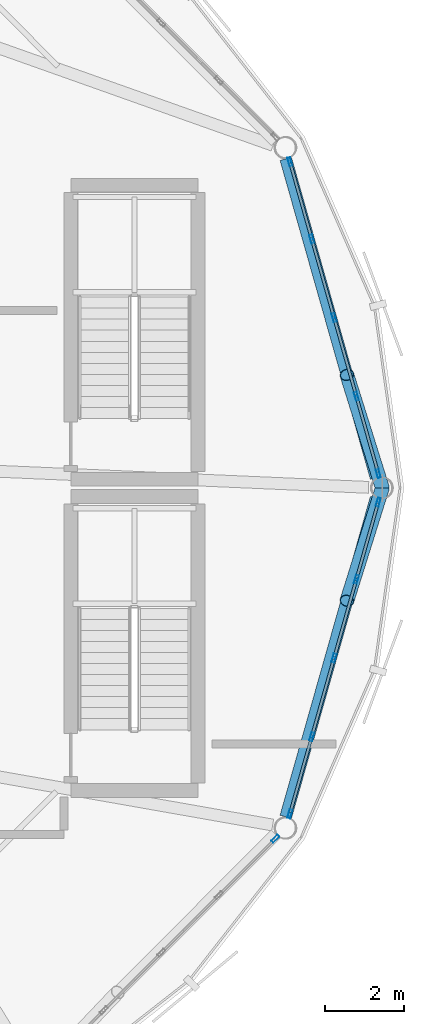
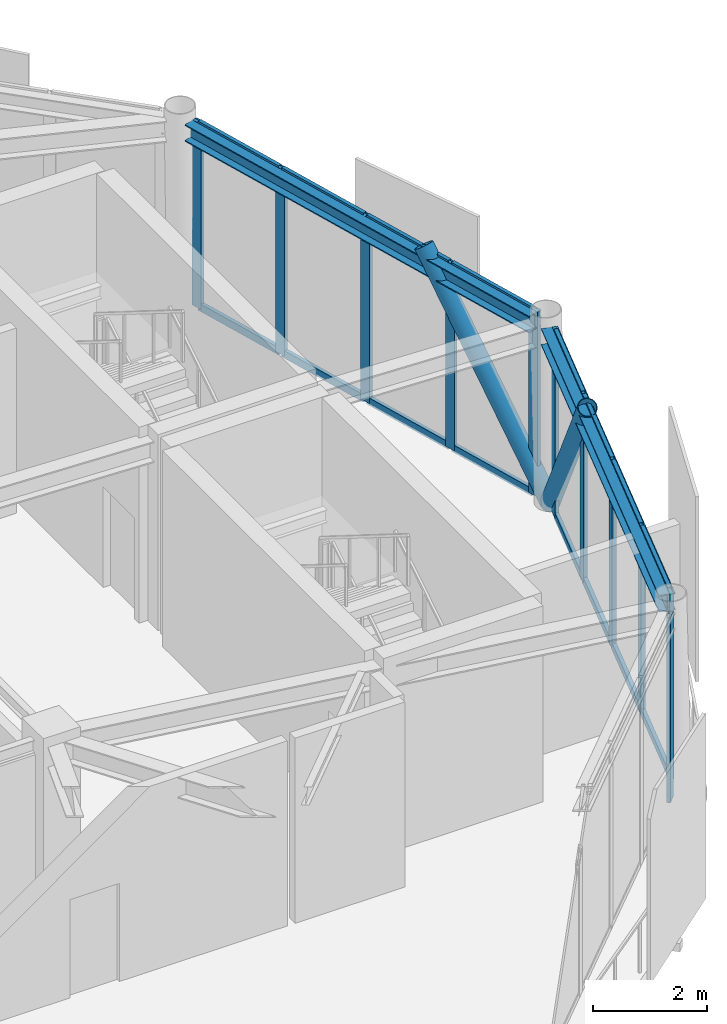
# One storey, part 12 of 20: 29 members, 2 beams, 3 elements without a shape of their own.
"""IFC4 building model written with IfcOpenShell, lengths in metres."""

import ifcopenshell
import ifcopenshell.guid

model = None  # the IFC model being written
_history = None  # IfcOwnerHistory: only IFC2X3 demands one
_inside = {}  # id of a spatial element -> (the spatial element, [elements in it])
_under = {}  # id of a project, library or spatial element -> (it, [spatial elements below it])
_declared = {}  # id of a project -> (the project, [libraries it declares])
_typed = {}  # id of a type object -> (the type object, [elements of that type])
_made_of = {}  # id of a material, layer set ... -> (it, [elements and type objects made of it])


def new_model(schema):
    """Start an empty IFC model of exactly this schema.

    Asked for "IFC4X3", IfcOpenShell would pick the latest addendum, in which some entities
    have other attributes; the version numbers below select the first issue.
    IFC2X3 requires an IfcOwnerHistory on every rooted entity: one is made here for all.
    """
    global model, _history
    if schema == "IFC4X3":
        model = ifcopenshell.file(schema_version=(4, 3, 0, 0))
    else:
        model = ifcopenshell.file(schema=schema)
    _inside.clear()
    _under.clear()
    _declared.clear()
    _typed.clear()
    _made_of.clear()
    _history = None
    if model.schema == "IFC2X3":
        org = make("IfcOrganization", Name="unknown")
        user = make(
            "IfcPersonAndOrganization",
            ThePerson=make("IfcPerson", FamilyName="unknown"),
            TheOrganization=org,
        )
        app = make(
            "IfcApplication",
            ApplicationDeveloper=org,
            Version="unknown",
            ApplicationFullName="unknown",
            ApplicationIdentifier="unknown",
        )
        _history = make(
            "IfcOwnerHistory",
            OwningUser=user,
            OwningApplication=app,
            ChangeAction="ADDED",
            CreationDate=0,
        )
    return model


def make(cls, **values):
    """One entity of the class cls with the attributes given. An attribute that is None is left unset."""
    return model.create_entity(
        cls, **{name: value for name, value in values.items() if value is not None}
    )


def rooted(cls, **values):
    """An entity with a GlobalId (a new one), such as an element, a storey or a relation."""
    return make(cls, GlobalId=ifcopenshell.guid.new(), OwnerHistory=_history, **values)


def si_unit(unit_type, name, prefix=None):
    """IfcSIUnit, for example si_unit("LENGTHUNIT", "METRE", prefix="MILLI")."""
    return make("IfcSIUnit", UnitType=unit_type, Prefix=prefix, Name=name)


def assignment(units):
    """IfcUnitAssignment: the units of a project."""
    return None if units is None else make("IfcUnitAssignment", Units=units)


def point(xyz):
    """IfcCartesianPoint."""
    return None if xyz is None else make("IfcCartesianPoint", Coordinates=xyz)


def direction(xyz):
    """IfcDirection."""
    return None if xyz is None else make("IfcDirection", DirectionRatios=xyz)


def frame(location, z_axis=None, x_axis=None):
    """IfcAxis2Placement3D, a coordinate frame: its origin and axes. An axis left out is left unset."""
    return make(
        "IfcAxis2Placement3D",
        Location=point(location),
        Axis=direction(z_axis),
        RefDirection=direction(x_axis),
    )


def frame_2d(location, x_axis=None):
    """IfcAxis2Placement2D, a coordinate frame in the plane: its origin and x axis."""
    return make(
        "IfcAxis2Placement2D", Location=point(location), RefDirection=direction(x_axis)
    )


def origin():
    """The frame at (0, 0, 0) with its axes left unset."""
    return frame((0.0, 0.0, 0.0))


def origin_2d():
    """The frame at (0, 0) in the plane with its x axis left unset."""
    return frame_2d((0.0, 0.0))


def place(relative_to, where):
    """IfcLocalPlacement: puts the frame where relative to a parent placement (None: the world)."""
    return make(
        "IfcLocalPlacement", PlacementRelTo=relative_to, RelativePlacement=where
    )


def context(
    kind, dimensions, precision=None, world=None, true_north=None, identifier=None
):
    """IfcGeometricRepresentationContext, for example the 3D "Model" context."""
    return make(
        "IfcGeometricRepresentationContext",
        ContextIdentifier=identifier,
        ContextType=kind,
        CoordinateSpaceDimension=dimensions,
        Precision=precision,
        WorldCoordinateSystem=world,
        TrueNorth=true_north,
    )


def subcontext(parent, identifier, kind, view, scale=None):
    """IfcGeometricRepresentationSubContext, for example "Body" below "Model"."""
    return make(
        "IfcGeometricRepresentationSubContext",
        ContextIdentifier=identifier,
        ContextType=kind,
        ParentContext=parent,
        TargetScale=scale,
        TargetView=view,
    )


def project(units=None, contexts=None):
    """IfcProject with its units and contexts."""
    return rooted(
        "IfcProject",
        Name="project",
        RepresentationContexts=contexts,
        UnitsInContext=assignment(units),
    )


def spatial(cls, under=None, at=None, **own):
    """A site, building, storey or space (cls), placed at a placement, below another one or the project."""
    s = rooted(cls, ObjectPlacement=at, **own)
    if under is not None:
        _under.setdefault(under.id(), (under, []))[1].append(s)
    return s


def profile(cls, at=None, kind="AREA", **sizes):
    """A parametric profile (cls). Its sizes go by their IFC names, for example OverallWidth=200.0."""
    return make(cls, ProfileType=kind, Position=at, **sizes)


def hollow_rectangle(**sizes):
    """IfcRectangleHollowProfileDef."""
    return profile("IfcRectangleHollowProfileDef", **sizes)


def hollow_circle(**sizes):
    """IfcCircleHollowProfileDef."""
    return profile("IfcCircleHollowProfileDef", **sizes)


def i_section(**sizes):
    """IfcIShapeProfileDef."""
    return profile("IfcIShapeProfileDef", **sizes)


def extrude(swept, where, along, depth):
    """IfcExtrudedAreaSolid: the profile swept, set in the frame where, extruded along a direction by depth."""
    return make(
        "IfcExtrudedAreaSolid",
        SweptArea=swept,
        Position=where,
        ExtrudedDirection=direction(along),
        Depth=depth,
    )


def shape(context_of_items, identifier, shape_type, items):
    """IfcShapeRepresentation: the items that make up one representation, for example the "Body"."""
    return make(
        "IfcShapeRepresentation",
        ContextOfItems=context_of_items,
        RepresentationIdentifier=identifier,
        RepresentationType=shape_type,
        Items=items,
    )


def material(Name=None, Category=None):
    """IfcMaterial."""
    return make("IfcMaterial", Name=Name, Category=Category)


def layer(
    of_material, thickness, ventilated=None, Name=None, Category=None, Priority=None
):
    """IfcMaterialLayer: one layer of a wall or slab, of a material (None: an air gap)."""
    return make(
        "IfcMaterialLayer",
        Material=of_material,
        LayerThickness=thickness,
        IsVentilated=ventilated,
        Name=Name,
        Category=Category,
        Priority=Priority,
    )


def layer_set(layers, Name=None):
    """IfcMaterialLayerSet."""
    return make("IfcMaterialLayerSet", MaterialLayers=layers, LayerSetName=Name)


def material_profile(
    of_material, cross_section, Name=None, Category=None, Priority=None
):
    """IfcMaterialProfile: a cross section and its material."""
    return make(
        "IfcMaterialProfile",
        Name=Name,
        Material=of_material,
        Profile=cross_section,
        Priority=Priority,
        Category=Category,
    )


def profile_set(profiles, Name=None, composite=None):
    """IfcMaterialProfileSet."""
    return make(
        "IfcMaterialProfileSet",
        Name=Name,
        MaterialProfiles=profiles,
        CompositeProfile=composite,
    )


def made_of(thing, what):
    """Note that an element or type object is made of a material, layer set ...; save() writes the relation."""
    if what is not None:
        _made_of.setdefault(what.id(), (what, []))[1].append(thing)
    return thing


def type_object(cls, material=None, **own):
    """A type object (cls), such as IfcWallType, which elements share."""
    return made_of(rooted(cls, **own), material)


def element(
    cls,
    number,
    at=None,
    inside=None,
    cuts=None,
    type_object=None,
    material=None,
    context=None,
    identifier="Body",
    shape_type=None,
    held_by="IfcProductDefinitionShape",
    body=None,
    shapes=None,
    **own,
):
    """One element of the class cls, such as IfcWall. Its Tag is "e" and its number.

    at: its placement. inside: the storey or other place that contains it. cuts: it is an
    opening in that element (IfcRelVoidsElement). A single representation is given by context,
    identifier, shape_type and body (its items); several are given by shapes. held_by: the class
    of the entity that holds the representations. save() writes the other relations.
    """
    e = rooted(cls, Tag="e%d" % number, ObjectPlacement=at, **own)
    if body is not None:
        shapes = [shape(context, identifier, shape_type, body)]
    if shapes is not None:
        e.Representation = make(held_by, Representations=shapes)
    if inside is not None:
        _inside.setdefault(inside.id(), (inside, []))[1].append(e)
    if cuts is not None:
        rooted(
            "IfcRelVoidsElement", RelatingBuildingElement=cuts, RelatedOpeningElement=e
        )
    if type_object is not None:
        _typed.setdefault(type_object.id(), (type_object, []))[1].append(e)
    return made_of(e, material)


def aggregate(whole, parts):
    """IfcRelAggregates: a whole, such as a stair, and the parts it consists of."""
    return rooted("IfcRelAggregates", RelatingObject=whole, RelatedObjects=parts)


def save(model, path):
    """Write the relations noted so far, then the file.

    IfcRelAggregates (storeys below a building ...), IfcRelContainedInSpatialStructure (elements
    in a storey), IfcRelDefinesByType, IfcRelAssociatesMaterial and IfcRelDeclares: one each for
    every whole, place, type object, material and project.
    """
    for whole, parts in _under.values():
        aggregate(whole, parts)
    for where, things in _inside.values():
        rooted(
            "IfcRelContainedInSpatialStructure",
            RelatedElements=things,
            RelatingStructure=where,
        )
    for kind, things in _typed.values():
        rooted("IfcRelDefinesByType", RelatedObjects=things, RelatingType=kind)
    for what, things in _made_of.values():
        rooted("IfcRelAssociatesMaterial", RelatedObjects=things, RelatingMaterial=what)
    for by, libraries in _declared.values():
        rooted("IfcRelDeclares", RelatingContext=by, RelatedDefinitions=libraries)
    model.write(path)


model = new_model("IFC4")

# Units and contexts
model_context = context("Model", 3, precision=1e-05, world=origin(), true_north=direction((0.0, 1.0)))
body_context = subcontext(model_context, "Body", "Model", "MODEL_VIEW")
ifc_project = project(units=[si_unit("LENGTHUNIT", "METRE"), si_unit("AREAUNIT", "SQUARE_METRE"), si_unit("VOLUMEUNIT", "CUBIC_METRE"), si_unit("PLANEANGLEUNIT", "RADIAN"), si_unit("MASSUNIT", "GRAM", prefix="KILO")], contexts=[model_context])

# Site, building, storey
site_placement = place(None, origin())
site = spatial("IfcSite", under=ifc_project, at=site_placement, CompositionType="ELEMENT")
building_placement = place(site_placement, origin())
building = spatial("IfcBuilding", under=site, at=building_placement, Name="Varnakorn Sky Granary", CompositionType="ELEMENT")
storey_placement = place(building_placement, frame((0.0, 0.0, 306.60009765625)))
storey = spatial("IfcBuildingStorey", under=building, at=storey_placement, Name="L78", CompositionType="ELEMENT", Elevation=306.60009765625)

# Beams
ifc_material_1 = material(Name="Steel S355JR", Category="steel")
ifc_material_profile_1 = material_profile(ifc_material_1, i_section(OverallWidth=0.300048828125, OverallDepth=0.360107421875, WebThickness=0.012451171875, FlangeThickness=0.0224609375, at=origin_2d()), Name="HE 360 B")
ifc_profile_set_1 = profile_set([ifc_material_profile_1], Name="Steel S355JR")
beam_type = type_object("IfcBeamType", Name="BM-SPD-Z5", PredefinedType="SPANDREL", material=ifc_profile_set_1)
for number, where, z_axis, x_axis, name in (
    (1, (22.098876953125, 0.25439453125, 3.77978515625), (-0.272555118521, 0.962140170333, 0.0), (-0.962140170333, -0.272555118521, 0.0), "Perimeter Spandrel Ring Beam RB01 L78"),
    (2, (19.8056640625, -8.349609375, 3.77978515625), (0.272555118521, 0.962140170333, 0.0), (-0.962140170333, 0.272555118521, 0.0), "Perimeter Spandrel Ring Beam RB12 L78"),
):
    element("IfcBeam", number, at=place(storey_placement, frame(where, z_axis=z_axis, x_axis=x_axis)), inside=storey, type_object=beam_type, Name=name, PredefinedType="SPANDREL", context=body_context, shape_type="SweptSolid", body=[
        extrude(i_section(OverallWidth=0.300048828125, OverallDepth=0.360107421875, WebThickness=0.012451171875, FlangeThickness=0.0224609375, at=origin_2d()), origin(), (0.0, 0.0, 1.0), 8.413818359375),
    ])

# Curtain wall, members
ifc_material_2 = material(Name="Anodised Bronze Aluminium Alloy 6063-T6", Category="aluminium")
ifc_layer = layer(ifc_material_2, 0.22998046875, Name="Anodised Bronze Aluminium Alloy 6063-T6")
ifc_layer_set = layer_set([ifc_layer], Name="Anodised Bronze Aluminium Alloy 6063-T6")
curtain_wall_type = type_object("IfcCurtainWallType", Name="CW-LNT-1", PredefinedType="USERDEFINED", material=ifc_layer_set)
curtain_wall_1_placement = place(storey_placement, origin())
curtain_wall_1 = element("IfcCurtainWall", 3, at=curtain_wall_1_placement, inside=storey, type_object=curtain_wall_type, Name="Unitised Curtain Wall CW7 CW-L78-B01", ObjectType="CURTAIN WALL", PredefinedType="USERDEFINED")
ifc_material_profile_2 = material_profile(ifc_material_2, hollow_rectangle(XDim=0.074951171875, YDim=0.219970703125, WallThickness=0.00390625, at=origin_2d()), Name="ALU MULL 75x220")
ifc_profile_set_2 = profile_set([ifc_material_profile_2], Name="Anodised Bronze Aluminium Alloy 6063-T6")
member_type_1 = type_object("IfcMemberType", Name="CW-LNT-1-MULL", PredefinedType="MULLION", material=ifc_profile_set_2)
member_1_placement = place(storey_placement, frame((19.910888671875, 8.27685546875, 0.0), z_axis=(0.0, 0.0, 1.0), x_axis=(0.962094649549, 0.272715759188, 0.0)))
member_1 = element("IfcMember", 4, at=member_1_placement, type_object=member_type_1, Name="CW7 mullion 1", PredefinedType="MULLION", context=body_context, shape_type="SweptSolid", body=[
    extrude(hollow_rectangle(XDim=0.074951171875, YDim=0.219970703125, WallThickness=0.00390625, at=origin_2d()), origin(), (0.0, 0.0, 1.0), 3.9599609375),
])
member_2_placement = place(storey_placement, frame((20.466552734375, 6.31640625, 0.0), z_axis=(0.0, 0.0, 1.0), x_axis=(0.962094649549, 0.272715759188, 0.0)))
member_2 = element("IfcMember", 5, at=member_2_placement, type_object=member_type_1, Name="CW7 mullion 2", PredefinedType="MULLION", context=body_context, shape_type="SweptSolid", body=[
    extrude(hollow_rectangle(XDim=0.074951171875, YDim=0.219970703125, WallThickness=0.00390625, at=origin_2d()), origin(), (0.0, 0.0, 1.0), 3.9599609375),
])
member_3_placement = place(storey_placement, frame((21.032470703125, 4.31982421875, 0.0), z_axis=(0.0, 0.0, 1.0), x_axis=(0.962094649549, 0.272715759188, 0.0)))
member_3 = element("IfcMember", 6, at=member_3_placement, type_object=member_type_1, Name="CW7 mullion 3", PredefinedType="MULLION", context=body_context, shape_type="SweptSolid", body=[
    extrude(hollow_rectangle(XDim=0.074951171875, YDim=0.219970703125, WallThickness=0.00390625, at=origin_2d()), origin(), (0.0, 0.0, 1.0), 3.9599609375),
])
member_4_placement = place(storey_placement, frame((21.598388671875, 2.3232421875, 0.0), z_axis=(0.0, 0.0, 1.0), x_axis=(0.962094649549, 0.272715759188, 0.0)))
member_4 = element("IfcMember", 7, at=member_4_placement, type_object=member_type_1, Name="CW7 mullion 4", PredefinedType="MULLION", context=body_context, shape_type="SweptSolid", body=[
    extrude(hollow_rectangle(XDim=0.074951171875, YDim=0.219970703125, WallThickness=0.00390625, at=origin_2d()), origin(), (0.0, 0.0, 1.0), 3.9599609375),
])
member_5_placement = place(storey_placement, frame((22.154052734375, 0.36279296875, 0.0), z_axis=(0.0, 0.0, 1.0), x_axis=(0.962094649549, 0.272715759188, 0.0)))
member_5 = element("IfcMember", 8, at=member_5_placement, type_object=member_type_1, Name="CW7 mullion 5", PredefinedType="MULLION", context=body_context, shape_type="SweptSolid", body=[
    extrude(hollow_rectangle(XDim=0.074951171875, YDim=0.219970703125, WallThickness=0.00390625, at=origin_2d()), origin(), (0.0, 0.0, 1.0), 3.9599609375),
])

# Curtain wall, member
curtain_wall_2_placement = place(storey_placement, origin())
curtain_wall_2 = element("IfcCurtainWall", 9, at=curtain_wall_2_placement, inside=storey, type_object=curtain_wall_type, Name="Unitised Curtain Wall CW7 CW-L78-B11", ObjectType="CURTAIN WALL", PredefinedType="USERDEFINED")
member_6_placement = place(storey_placement, frame((19.54150390625, -8.906005859375, 0.0), z_axis=(0.0, 0.0, 1.0), x_axis=(0.707251982619, -0.706961549932, 0.0)))
member_6 = element("IfcMember", 10, at=member_6_placement, type_object=member_type_1, Name="CW7 mullion 1", PredefinedType="MULLION", context=body_context, shape_type="SweptSolid", body=[
    extrude(hollow_rectangle(XDim=0.074951171875, YDim=0.219970703125, WallThickness=0.00390625, at=origin_2d()), origin(), (0.0, 0.0, 1.0), 3.9599609375),
])
aggregate(curtain_wall_2, [member_6])

# Curtain wall, members
curtain_wall_3_placement = place(storey_placement, origin())
curtain_wall_3 = element("IfcCurtainWall", 11, at=curtain_wall_3_placement, inside=storey, type_object=curtain_wall_type, Name="Unitised Curtain Wall CW7 CW-L78-B12", ObjectType="CURTAIN WALL", PredefinedType="USERDEFINED")
member_7_placement = place(storey_placement, frame((22.154052734375, -0.36279296875, 0.0), z_axis=(0.0, 0.0, 1.0), x_axis=(0.962094649549, -0.272715759188, 0.0)))
member_7 = element("IfcMember", 12, at=member_7_placement, type_object=member_type_1, Name="CW7 mullion 1", PredefinedType="MULLION", context=body_context, shape_type="SweptSolid", body=[
    extrude(hollow_rectangle(XDim=0.074951171875, YDim=0.219970703125, WallThickness=0.00390625, at=origin_2d()), origin(), (0.0, 0.0, 1.0), 3.9599609375),
])
member_8_placement = place(storey_placement, frame((21.598388671875, -2.3232421875, 0.0), z_axis=(0.0, 0.0, 1.0), x_axis=(0.962094649549, -0.272715759188, 0.0)))
member_8 = element("IfcMember", 13, at=member_8_placement, type_object=member_type_1, Name="CW7 mullion 2", PredefinedType="MULLION", context=body_context, shape_type="SweptSolid", body=[
    extrude(hollow_rectangle(XDim=0.074951171875, YDim=0.219970703125, WallThickness=0.00390625, at=origin_2d()), origin(), (0.0, 0.0, 1.0), 3.9599609375),
])
member_9_placement = place(storey_placement, frame((21.032470703125, -4.31982421875, 0.0), z_axis=(0.0, 0.0, 1.0), x_axis=(0.962094649549, -0.272715759188, 0.0)))
member_9 = element("IfcMember", 14, at=member_9_placement, type_object=member_type_1, Name="CW7 mullion 3", PredefinedType="MULLION", context=body_context, shape_type="SweptSolid", body=[
    extrude(hollow_rectangle(XDim=0.074951171875, YDim=0.219970703125, WallThickness=0.00390625, at=origin_2d()), origin(), (0.0, 0.0, 1.0), 3.9599609375),
])
member_10_placement = place(storey_placement, frame((20.466552734375, -6.31640625, 0.0), z_axis=(0.0, 0.0, 1.0), x_axis=(0.962094649549, -0.272715759188, 0.0)))
member_10 = element("IfcMember", 15, at=member_10_placement, type_object=member_type_1, Name="CW7 mullion 4", PredefinedType="MULLION", context=body_context, shape_type="SweptSolid", body=[
    extrude(hollow_rectangle(XDim=0.074951171875, YDim=0.219970703125, WallThickness=0.00390625, at=origin_2d()), origin(), (0.0, 0.0, 1.0), 3.9599609375),
])
member_11_placement = place(storey_placement, frame((19.910888671875, -8.27685546875, 0.0), z_axis=(0.0, 0.0, 1.0), x_axis=(0.962094649549, -0.272715759188, 0.0)))
member_11 = element("IfcMember", 16, at=member_11_placement, type_object=member_type_1, Name="CW7 mullion 5", PredefinedType="MULLION", context=body_context, shape_type="SweptSolid", body=[
    extrude(hollow_rectangle(XDim=0.074951171875, YDim=0.219970703125, WallThickness=0.00390625, at=origin_2d()), origin(), (0.0, 0.0, 1.0), 3.9599609375),
])

# Member
ifc_material_profile_3 = material_profile(ifc_material_2, hollow_rectangle(XDim=0.074951171875, YDim=0.159912109375, WallThickness=0.00390625, at=origin_2d()), Name="ALU TRAN 75x160")
ifc_profile_set_3 = profile_set([ifc_material_profile_3], Name="Anodised Bronze Aluminium Alloy 6063-T6")
member_type_2 = type_object("IfcMemberType", Name="CW-LNT-1-TRAN", PredefinedType="USERDEFINED", material=ifc_profile_set_3)
member_12_placement = place(storey_placement, frame((19.921142578125, 8.24072265625, 0.037353515625), z_axis=(0.272650547576, -0.962113132072, 0.0), x_axis=(0.962113132072, 0.272650547576, 0.0)))
member_12 = element("IfcMember", 17, at=member_12_placement, type_object=member_type_2, Name="CW7 transom 1.1", ObjectType="TRANSOM", PredefinedType="USERDEFINED", context=body_context, shape_type="SweptSolid", body=[
    extrude(hollow_rectangle(XDim=0.074951171875, YDim=0.159912109375, WallThickness=0.00390625, at=origin_2d()), origin(), (0.0, 0.0, 1.0), 1.962890625),
])

member_13_placement = place(storey_placement, frame((19.921142578125, 8.24072265625, 3.92236328125), z_axis=(0.272650547576, -0.962113132072, 0.0), x_axis=(0.962113132072, 0.272650547576, 0.0)))
member_13 = element("IfcMember", 18, at=member_13_placement, type_object=member_type_2, Name="CW7 transom 1.2", ObjectType="TRANSOM", PredefinedType="USERDEFINED", context=body_context, shape_type="SweptSolid", body=[
    extrude(hollow_rectangle(XDim=0.074951171875, YDim=0.159912109375, WallThickness=0.00390625, at=origin_2d()), origin(), (0.0, 0.0, 1.0), 1.962890625),
])

member_14_placement = place(storey_placement, frame((20.476806640625, 6.2802734375, 0.037353515625), z_axis=(0.272657178609, -0.962111252898, 0.0), x_axis=(0.962111252898, 0.272657178609, 0.0)))
member_14 = element("IfcMember", 19, at=member_14_placement, type_object=member_type_2, Name="CW7 transom 2.1", ObjectType="TRANSOM", PredefinedType="USERDEFINED", context=body_context, shape_type="SweptSolid", body=[
    extrude(hollow_rectangle(XDim=0.074951171875, YDim=0.159912109375, WallThickness=0.00390625, at=origin_2d()), origin(), (0.0, 0.0, 1.0), 2.000244140625),
])

member_15_placement = place(storey_placement, frame((20.476806640625, 6.2802734375, 3.92236328125), z_axis=(0.272657178609, -0.962111252898, 0.0), x_axis=(0.962111252898, 0.272657178609, 0.0)))
member_15 = element("IfcMember", 20, at=member_15_placement, type_object=member_type_2, Name="CW7 transom 2.2", ObjectType="TRANSOM", PredefinedType="USERDEFINED", context=body_context, shape_type="SweptSolid", body=[
    extrude(hollow_rectangle(XDim=0.074951171875, YDim=0.159912109375, WallThickness=0.00390625, at=origin_2d()), origin(), (0.0, 0.0, 1.0), 2.000244140625),
])

member_16_placement = place(storey_placement, frame((21.042724609375, 4.28369140625, 0.037353515625), z_axis=(0.272689198876, -0.96210217795, 0.0), x_axis=(0.96210217795, 0.272689198876, 0.0)))
member_16 = element("IfcMember", 21, at=member_16_placement, type_object=member_type_2, Name="CW7 transom 3.1", ObjectType="TRANSOM", PredefinedType="USERDEFINED", context=body_context, shape_type="SweptSolid", body=[
    extrude(hollow_rectangle(XDim=0.074951171875, YDim=0.159912109375, WallThickness=0.00390625, at=origin_2d()), origin(), (0.0, 0.0, 1.0), 2.0),
])

member_17_placement = place(storey_placement, frame((21.042724609375, 4.28369140625, 3.92236328125), z_axis=(0.272689198876, -0.96210217795, 0.0), x_axis=(0.96210217795, 0.272689198876, 0.0)))
member_17 = element("IfcMember", 22, at=member_17_placement, type_object=member_type_2, Name="CW7 transom 3.2", ObjectType="TRANSOM", PredefinedType="USERDEFINED", context=body_context, shape_type="SweptSolid", body=[
    extrude(hollow_rectangle(XDim=0.074951171875, YDim=0.159912109375, WallThickness=0.00390625, at=origin_2d()), origin(), (0.0, 0.0, 1.0), 2.0),
])

member_18_placement = place(storey_placement, frame((21.608642578125, 2.287109375, 0.037353515625), z_axis=(0.272765679567, -0.962080497698, 0.0), x_axis=(0.962080497698, 0.272765679567, 0.0)))
member_18 = element("IfcMember", 23, at=member_18_placement, type_object=member_type_2, Name="CW7 transom 4.1", ObjectType="TRANSOM", PredefinedType="USERDEFINED", context=body_context, shape_type="SweptSolid", body=[
    extrude(hollow_rectangle(XDim=0.074951171875, YDim=0.159912109375, WallThickness=0.00390625, at=origin_2d()), origin(), (0.0, 0.0, 1.0), 1.962890625),
])

member_19_placement = place(storey_placement, frame((21.608642578125, 2.287109375, 3.92236328125), z_axis=(0.272765679567, -0.962080497698, 0.0), x_axis=(0.962080497698, 0.272765679567, 0.0)))
member_19 = element("IfcMember", 24, at=member_19_placement, type_object=member_type_2, Name="CW7 transom 4.2", ObjectType="TRANSOM", PredefinedType="USERDEFINED", context=body_context, shape_type="SweptSolid", body=[
    extrude(hollow_rectangle(XDim=0.074951171875, YDim=0.159912109375, WallThickness=0.00390625, at=origin_2d()), origin(), (0.0, 0.0, 1.0), 1.962890625),
])

aggregate(curtain_wall_1, [member_1, member_2, member_3, member_4, member_5, member_12, member_13, member_14, member_15, member_16, member_17, member_18, member_19])

member_20_placement = place(storey_placement, frame((22.14404296875, -0.398681640625, 0.037353515625), z_axis=(-0.272765679567, -0.962080497698, 0.0), x_axis=(0.962080497698, -0.272765679567, 0.0)))
member_20 = element("IfcMember", 25, at=member_20_placement, type_object=member_type_2, Name="CW7 transom 1.1", ObjectType="TRANSOM", PredefinedType="USERDEFINED", context=body_context, shape_type="SweptSolid", body=[
    extrude(hollow_rectangle(XDim=0.074951171875, YDim=0.159912109375, WallThickness=0.00390625, at=origin_2d()), origin(), (0.0, 0.0, 1.0), 1.962890625),
])

member_21_placement = place(storey_placement, frame((22.14404296875, -0.398681640625, 3.92236328125), z_axis=(-0.272765679567, -0.962080497698, 0.0), x_axis=(0.962080497698, -0.272765679567, 0.0)))
member_21 = element("IfcMember", 26, at=member_21_placement, type_object=member_type_2, Name="CW7 transom 1.2", ObjectType="TRANSOM", PredefinedType="USERDEFINED", context=body_context, shape_type="SweptSolid", body=[
    extrude(hollow_rectangle(XDim=0.074951171875, YDim=0.159912109375, WallThickness=0.00390625, at=origin_2d()), origin(), (0.0, 0.0, 1.0), 1.962890625),
])

member_22_placement = place(storey_placement, frame((21.588134765625, -2.359375, 0.037353515625), z_axis=(-0.272689198876, -0.96210217795, 0.0), x_axis=(0.96210217795, -0.272689198876, 0.0)))
member_22 = element("IfcMember", 27, at=member_22_placement, type_object=member_type_2, Name="CW7 transom 2.1", ObjectType="TRANSOM", PredefinedType="USERDEFINED", context=body_context, shape_type="SweptSolid", body=[
    extrude(hollow_rectangle(XDim=0.074951171875, YDim=0.159912109375, WallThickness=0.00390625, at=origin_2d()), origin(), (0.0, 0.0, 1.0), 2.0),
])

member_23_placement = place(storey_placement, frame((21.588134765625, -2.359375, 3.92236328125), z_axis=(-0.272689198876, -0.96210217795, 0.0), x_axis=(0.96210217795, -0.272689198876, 0.0)))
member_23 = element("IfcMember", 28, at=member_23_placement, type_object=member_type_2, Name="CW7 transom 2.2", ObjectType="TRANSOM", PredefinedType="USERDEFINED", context=body_context, shape_type="SweptSolid", body=[
    extrude(hollow_rectangle(XDim=0.074951171875, YDim=0.159912109375, WallThickness=0.00390625, at=origin_2d()), origin(), (0.0, 0.0, 1.0), 2.0),
])

member_24_placement = place(storey_placement, frame((21.022216796875, -4.355712890625, 0.037353515625), z_axis=(-0.272657178609, -0.962111252898, 0.0), x_axis=(0.962111252898, -0.272657178609, 0.0)))
member_24 = element("IfcMember", 29, at=member_24_placement, type_object=member_type_2, Name="CW7 transom 3.1", ObjectType="TRANSOM", PredefinedType="USERDEFINED", context=body_context, shape_type="SweptSolid", body=[
    extrude(hollow_rectangle(XDim=0.074951171875, YDim=0.159912109375, WallThickness=0.00390625, at=origin_2d()), origin(), (0.0, 0.0, 1.0), 2.000244140625),
])

member_25_placement = place(storey_placement, frame((21.022216796875, -4.355712890625, 3.92236328125), z_axis=(-0.272657178609, -0.962111252898, 0.0), x_axis=(0.962111252898, -0.272657178609, 0.0)))
member_25 = element("IfcMember", 30, at=member_25_placement, type_object=member_type_2, Name="CW7 transom 3.2", ObjectType="TRANSOM", PredefinedType="USERDEFINED", context=body_context, shape_type="SweptSolid", body=[
    extrude(hollow_rectangle(XDim=0.074951171875, YDim=0.159912109375, WallThickness=0.00390625, at=origin_2d()), origin(), (0.0, 0.0, 1.0), 2.000244140625),
])

member_26_placement = place(storey_placement, frame((20.456298828125, -6.352294921875, 0.037353515625), z_axis=(-0.272650547576, -0.962113132072, 0.0), x_axis=(0.962113132072, -0.272650547576, 0.0)))
member_26 = element("IfcMember", 31, at=member_26_placement, type_object=member_type_2, Name="CW7 transom 4.1", ObjectType="TRANSOM", PredefinedType="USERDEFINED", context=body_context, shape_type="SweptSolid", body=[
    extrude(hollow_rectangle(XDim=0.074951171875, YDim=0.159912109375, WallThickness=0.00390625, at=origin_2d()), origin(), (0.0, 0.0, 1.0), 1.962890625),
])

member_27_placement = place(storey_placement, frame((20.456298828125, -6.352294921875, 3.92236328125), z_axis=(-0.272650547576, -0.962113132072, 0.0), x_axis=(0.962113132072, -0.272650547576, 0.0)))
member_27 = element("IfcMember", 32, at=member_27_placement, type_object=member_type_2, Name="CW7 transom 4.2", ObjectType="TRANSOM", PredefinedType="USERDEFINED", context=body_context, shape_type="SweptSolid", body=[
    extrude(hollow_rectangle(XDim=0.074951171875, YDim=0.159912109375, WallThickness=0.00390625, at=origin_2d()), origin(), (0.0, 0.0, 1.0), 1.962890625),
])

aggregate(curtain_wall_3, [member_7, member_8, member_9, member_10, member_11, member_20, member_21, member_22, member_23, member_24, member_25, member_26, member_27])

# Members
ifc_material_3 = material(Name="Steel S460M", Category="steel")
ifc_material_profile_4 = material_profile(ifc_material_3, hollow_circle(Radius=0.177734375, WallThickness=0.01416015625, at=origin_2d()), Name="CHS 355.6x14")
ifc_profile_set_4 = profile_set([ifc_material_profile_4], Name="Steel S460M")
member_type_3 = type_object("IfcMemberType", Name="MB-DIAG-T5", PredefinedType="BRACE", material=ifc_profile_set_4)
for number, where, z_axis, x_axis, name in (
    (33, (22.257080078125, 0.0, 0.0), (-0.177067097869, 0.565065796977, 0.805821250613), (-0.954246973065, -0.299019588648, 0.0), "Perimeter CHS Diagrid Brace DG01 L78"),
    (34, (22.257080078125, 0.0, 0.0), (-0.177067097869, -0.565065796977, 0.805821250613), (0.954246973065, -0.299019588648, 0.0), "Perimeter CHS Diagrid Brace DG12 L78"),
):
    element("IfcMember", number, at=place(storey_placement, frame(where, z_axis=z_axis, x_axis=x_axis)), inside=storey, type_object=member_type_3, Name=name, PredefinedType="BRACE", context=body_context, shape_type="SweptSolid", body=[
        extrude(hollow_circle(Radius=0.177734375, WallThickness=0.01416015625, at=origin_2d()), origin(), (0.0, 0.0, 1.0), 5.075439453125),
    ])

save(model, "model.ifc")
